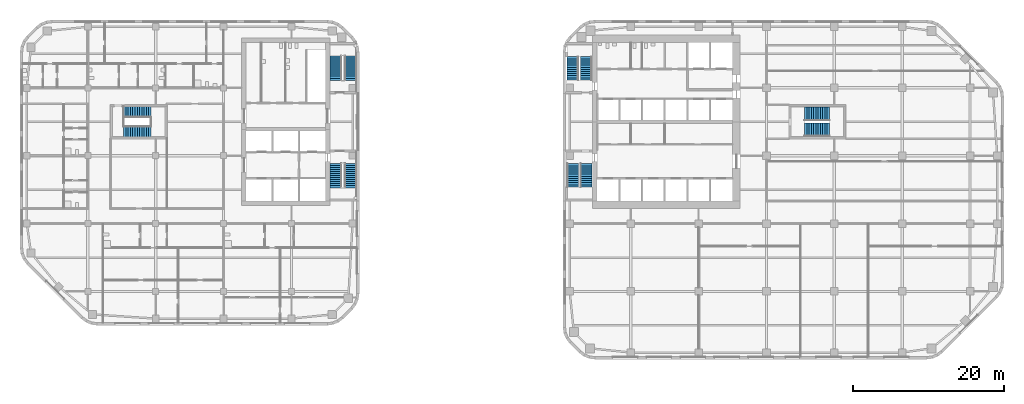
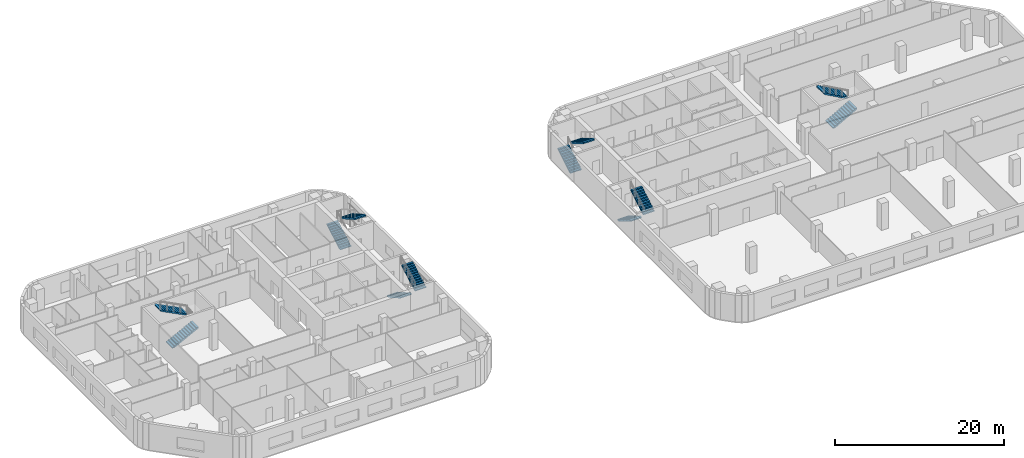
# One storey, part 13 of 16: 12 stair flights, 6 elements without a shape of their own.
"""IFC4 building model written with IfcOpenShell, lengths in metres."""

from ifc_helpers import new_model, si_unit, direction, frame, origin, place, context, subcontext, project, spatial, polyline, outline, extrude, material, type_object, element, aggregate, save


model = new_model("IFC4")

# Units and contexts
model_context = context("Model", 3, precision=1e-05, world=origin(), true_north=direction((0.0, 1.0)))
body_context = subcontext(model_context, "Body", "Model", "MODEL_VIEW")
ifc_project = project(units=[si_unit("LENGTHUNIT", "METRE"), si_unit("AREAUNIT", "SQUARE_METRE"), si_unit("VOLUMEUNIT", "CUBIC_METRE"), si_unit("PLANEANGLEUNIT", "RADIAN"), si_unit("MASSUNIT", "GRAM", prefix="KILO")], contexts=[model_context])

# Site, building, storey
site_placement = place(None, origin())
site = spatial("IfcSite", under=ifc_project, at=site_placement, CompositionType="ELEMENT")
building_placement = place(site_placement, origin())
building = spatial("IfcBuilding", under=site, at=building_placement, Name="Cinnabar Reach Civic Tower", CompositionType="ELEMENT")
storey_placement = place(building_placement, frame((0.0, 0.0, 38.0)))
storey = spatial("IfcBuildingStorey", under=building, at=storey_placement, Name="L08", CompositionType="ELEMENT", Elevation=38.0)

# Stair, stair flights
ifc_material_1 = material(Name="Concrete C40/50", Category="concrete")
stair_type_1 = type_object("IfcStairType", Name="T1 Exit stair, half-turn", PredefinedType="HALF_TURN_STAIR", material=ifc_material_1)
stair_1_placement = place(storey_placement, origin())
stair_1 = element("IfcStair", 1, at=stair_1_placement, inside=storey, type_object=stair_type_1, Name="Stair T1-S1", PredefinedType="HALF_TURN_STAIR")
stair_flight_type_1 = type_object("IfcStairFlightType", Name="T1 Stair flight, concrete", PredefinedType="STRAIGHT", material=ifc_material_1)
stair_flight_1_placement = place(storey_placement, frame((1.3125, 25.95, 0.0), z_axis=(0.0, 0.0, 1.0), x_axis=(0.0, -1.0, 0.0)))
stair_flight_1 = element("IfcStairFlight", 2, at=stair_flight_1_placement, type_object=stair_flight_type_1, Name="T1-S1 flight 1", NumberOfRisers=12, NumberOfTreads=11, PredefinedType="STRAIGHT", RiserHeight=0.166666667, TreadLength=0.28, context=body_context, shape_type="SweptSolid", body=[
    extrude(outline(polyline([(0.0, 0.0), (0.0, 0.1667), (0.28, 0.1667), (0.28, 0.3333), (0.56, 0.3333), (0.56, 0.5), (0.84, 0.5), (0.84, 0.6667), (1.12, 0.6667), (1.12, 0.8333), (1.4, 0.8333), (1.4, 1.0), (1.68, 1.0), (1.68, 1.1667), (1.96, 1.1667), (1.96, 1.3333), (2.24, 1.3333), (2.24, 1.5), (2.52, 1.5), (2.52, 1.6667), (2.8, 1.6667), (2.8, 1.8333), (3.08, 1.8333), (3.08, 2.0), (3.08, 1.6588), (0.2933, 0.0), (0.0, 0.0)])), frame((0.0, 0.7625, 0.0), z_axis=(0.0, -1.0, 0.0), x_axis=(1.0, 0.0, 0.0)), (0.0, 0.0, 1.0), 1.525),
])
stair_flight_2_placement = place(storey_placement, frame((3.0875, 22.87, 2.0), z_axis=(0.0, 0.0, 1.0), x_axis=(0.0, 1.0, 0.0)))
stair_flight_2 = element("IfcStairFlight", 3, at=stair_flight_2_placement, type_object=stair_flight_type_1, Name="T1-S1 flight 2", NumberOfRisers=12, NumberOfTreads=11, PredefinedType="STRAIGHT", RiserHeight=0.166666667, TreadLength=0.28, context=body_context, shape_type="SweptSolid", body=[
    extrude(outline(polyline([(0.0, 0.0), (0.0, 0.1667), (0.28, 0.1667), (0.28, 0.3333), (0.56, 0.3333), (0.56, 0.5), (0.84, 0.5), (0.84, 0.6667), (1.12, 0.6667), (1.12, 0.8333), (1.4, 0.8333), (1.4, 1.0), (1.68, 1.0), (1.68, 1.1667), (1.96, 1.1667), (1.96, 1.3333), (2.24, 1.3333), (2.24, 1.5), (2.52, 1.5), (2.52, 1.6667), (2.8, 1.6667), (2.8, 1.8333), (3.08, 1.8333), (3.08, 2.0), (3.08, 1.6588), (0.2933, 0.0), (0.0, 0.0)])), frame((0.0, 0.7625, 0.0), z_axis=(0.0, -1.0, 0.0), x_axis=(1.0, 0.0, 0.0)), (0.0, 0.0, 1.0), 1.525),
])
aggregate(stair_1, [stair_flight_1, stair_flight_2])

stair_2_placement = place(storey_placement, origin())
stair_2 = element("IfcStair", 4, at=stair_2_placement, inside=storey, type_object=stair_type_1, Name="Stair T1-S2", PredefinedType="HALF_TURN_STAIR")
stair_flight_3_placement = place(storey_placement, frame((1.3125, 37.05, 0.0), z_axis=(0.0, 0.0, 1.0), x_axis=(0.0, 1.0, 0.0)))
stair_flight_3 = element("IfcStairFlight", 5, at=stair_flight_3_placement, type_object=stair_flight_type_1, Name="T1-S2 flight 1", NumberOfRisers=12, NumberOfTreads=11, PredefinedType="STRAIGHT", RiserHeight=0.166666667, TreadLength=0.28, context=body_context, shape_type="SweptSolid", body=[
    extrude(outline(polyline([(0.0, 0.0), (0.0, 0.1667), (0.28, 0.1667), (0.28, 0.3333), (0.56, 0.3333), (0.56, 0.5), (0.84, 0.5), (0.84, 0.6667), (1.12, 0.6667), (1.12, 0.8333), (1.4, 0.8333), (1.4, 1.0), (1.68, 1.0), (1.68, 1.1667), (1.96, 1.1667), (1.96, 1.3333), (2.24, 1.3333), (2.24, 1.5), (2.52, 1.5), (2.52, 1.6667), (2.8, 1.6667), (2.8, 1.8333), (3.08, 1.8333), (3.08, 2.0), (3.08, 1.6588), (0.2933, 0.0), (0.0, 0.0)])), frame((0.0, 0.7625, 0.0), z_axis=(0.0, -1.0, 0.0), x_axis=(1.0, 0.0, 0.0)), (0.0, 0.0, 1.0), 1.525),
])
stair_flight_4_placement = place(storey_placement, frame((3.0875, 40.13, 2.0), z_axis=(0.0, 0.0, 1.0), x_axis=(0.0, -1.0, 0.0)))
stair_flight_4 = element("IfcStairFlight", 6, at=stair_flight_4_placement, type_object=stair_flight_type_1, Name="T1-S2 flight 2", NumberOfRisers=12, NumberOfTreads=11, PredefinedType="STRAIGHT", RiserHeight=0.166666667, TreadLength=0.28, context=body_context, shape_type="SweptSolid", body=[
    extrude(outline(polyline([(0.0, 0.0), (0.0, 0.1667), (0.28, 0.1667), (0.28, 0.3333), (0.56, 0.3333), (0.56, 0.5), (0.84, 0.5), (0.84, 0.6667), (1.12, 0.6667), (1.12, 0.8333), (1.4, 0.8333), (1.4, 1.0), (1.68, 1.0), (1.68, 1.1667), (1.96, 1.1667), (1.96, 1.3333), (2.24, 1.3333), (2.24, 1.5), (2.52, 1.5), (2.52, 1.6667), (2.8, 1.6667), (2.8, 1.8333), (3.08, 1.8333), (3.08, 2.0), (3.08, 1.6588), (0.2933, 0.0), (0.0, 0.0)])), frame((0.0, 0.7625, 0.0), z_axis=(0.0, -1.0, 0.0), x_axis=(1.0, 0.0, 0.0)), (0.0, 0.0, 1.0), 1.525),
])
aggregate(stair_2, [stair_flight_3, stair_flight_4])

stair_3_placement = place(storey_placement, origin())
stair_3 = element("IfcStair", 7, at=stair_3_placement, inside=storey, type_object=stair_type_1, Name="Stair T1-S3", PredefinedType="HALF_TURN_STAIR")
stair_flight_5_placement = place(storey_placement, frame((32.05, 30.45, 0.0), z_axis=(0.0, 0.0, 1.0), x_axis=(1.0, 0.0, 0.0)))
stair_flight_5 = element("IfcStairFlight", 8, at=stair_flight_5_placement, type_object=stair_flight_type_1, Name="T1-S3 flight 1", NumberOfRisers=12, NumberOfTreads=11, PredefinedType="STRAIGHT", RiserHeight=0.166666667, TreadLength=0.3, context=body_context, shape_type="SweptSolid", body=[
    extrude(outline(polyline([(0.0, 0.0), (0.0, 0.1667), (0.3, 0.1667), (0.3, 0.3333), (0.6, 0.3333), (0.6, 0.5), (0.9, 0.5), (0.9, 0.6667), (1.2, 0.6667), (1.2, 0.8333), (1.5, 0.8333), (1.5, 1.0), (1.8, 1.0), (1.8, 1.1667), (2.1, 1.1667), (2.1, 1.3333), (2.4, 1.3333), (2.4, 1.5), (2.7, 1.5), (2.7, 1.6667), (3.0, 1.6667), (3.0, 1.8333), (3.3, 1.8333), (3.3, 2.0), (3.3, 1.6617), (0.3089, 0.0), (0.0, 0.0)])), frame((0.0, 0.9, 0.0), z_axis=(0.0, -1.0, 0.0), x_axis=(1.0, 0.0, 0.0)), (0.0, 0.0, 1.0), 1.8),
])
stair_flight_6_placement = place(storey_placement, frame((35.35, 32.55, 2.0), z_axis=(0.0, 0.0, 1.0), x_axis=(-1.0, 0.0, 0.0)))
stair_flight_6 = element("IfcStairFlight", 9, at=stair_flight_6_placement, type_object=stair_flight_type_1, Name="T1-S3 flight 2", NumberOfRisers=12, NumberOfTreads=11, PredefinedType="STRAIGHT", RiserHeight=0.166666667, TreadLength=0.3, context=body_context, shape_type="SweptSolid", body=[
    extrude(outline(polyline([(0.0, 0.0), (0.0, 0.1667), (0.3, 0.1667), (0.3, 0.3333), (0.6, 0.3333), (0.6, 0.5), (0.9, 0.5), (0.9, 0.6667), (1.2, 0.6667), (1.2, 0.8333), (1.5, 0.8333), (1.5, 1.0), (1.8, 1.0), (1.8, 1.1667), (2.1, 1.1667), (2.1, 1.3333), (2.4, 1.3333), (2.4, 1.5), (2.7, 1.5), (2.7, 1.6667), (3.0, 1.6667), (3.0, 1.8333), (3.3, 1.8333), (3.3, 2.0), (3.3, 1.6617), (0.3089, 0.0), (0.0, 0.0)])), frame((0.0, 0.9, 0.0), z_axis=(0.0, -1.0, 0.0), x_axis=(1.0, 0.0, 0.0)), (0.0, 0.0, 1.0), 1.8),
])
aggregate(stair_3, [stair_flight_5, stair_flight_6])

ifc_material_2 = material(Name="Concrete C40", Category="concrete")
stair_type_2 = type_object("IfcStairType", Name="T2 Exit stair 1500", PredefinedType="HALF_TURN_STAIR", material=ifc_material_2)
stair_4_placement = place(storey_placement, origin())
stair_4 = element("IfcStair", 10, at=stair_4_placement, inside=storey, type_object=stair_type_2, Name="Exit stair 1", PredefinedType="HALF_TURN_STAIR")
stair_flight_type_2 = type_object("IfcStairFlightType", Name="T2 Stair flight 1500", PredefinedType="STRAIGHT", material=ifc_material_2)
stair_flight_7_placement = place(storey_placement, frame((-30.15, 26.0, 0.0), z_axis=(0.0, 0.0, 1.0), x_axis=(0.0, -1.0, 0.0)))
stair_flight_7 = element("IfcStairFlight", 11, at=stair_flight_7_placement, type_object=stair_flight_type_2, Name="ST1 flight 1", NumberOfRisers=13, NumberOfTreads=12, PredefinedType="STRAIGHT", RiserHeight=0.153846154, TreadLength=0.270833333, context=body_context, shape_type="SweptSolid", body=[
    extrude(outline(polyline([(0.0, 0.0), (0.0, 0.1538), (0.2708, 0.1538), (0.2708, 0.3077), (0.5417, 0.3077), (0.5417, 0.4615), (0.8125, 0.4615), (0.8125, 0.6154), (1.0833, 0.6154), (1.0833, 0.7692), (1.3542, 0.7692), (1.3542, 0.9231), (1.625, 0.9231), (1.625, 1.0769), (1.8958, 1.0769), (1.8958, 1.2308), (2.1667, 1.2308), (2.1667, 1.3846), (2.4375, 1.3846), (2.4375, 1.5385), (2.7083, 1.5385), (2.7083, 1.6923), (2.9792, 1.6923), (2.9792, 1.8462), (3.25, 1.8462), (3.25, 2.0), (3.25, 1.6736), (0.3037, 0.0), (0.0, 0.0)])), frame((0.0, 0.75, 0.0), z_axis=(0.0, -1.0, 0.0), x_axis=(1.0, 0.0, 0.0)), (0.0, 0.0, 1.0), 1.5),
])
stair_flight_8_placement = place(storey_placement, frame((-28.15, 22.75, 2.0), z_axis=(0.0, 0.0, 1.0), x_axis=(0.0, 1.0, 0.0)))
stair_flight_8 = element("IfcStairFlight", 12, at=stair_flight_8_placement, type_object=stair_flight_type_2, Name="ST1 flight 2", NumberOfRisers=13, NumberOfTreads=12, PredefinedType="STRAIGHT", RiserHeight=0.153846154, TreadLength=0.270833333, context=body_context, shape_type="SweptSolid", body=[
    extrude(outline(polyline([(0.0, 0.0), (0.0, 0.1538), (0.2708, 0.1538), (0.2708, 0.3077), (0.5417, 0.3077), (0.5417, 0.4615), (0.8125, 0.4615), (0.8125, 0.6154), (1.0833, 0.6154), (1.0833, 0.7692), (1.3542, 0.7692), (1.3542, 0.9231), (1.625, 0.9231), (1.625, 1.0769), (1.8958, 1.0769), (1.8958, 1.2308), (2.1667, 1.2308), (2.1667, 1.3846), (2.4375, 1.3846), (2.4375, 1.5385), (2.7083, 1.5385), (2.7083, 1.6923), (2.9792, 1.6923), (2.9792, 1.8462), (3.25, 1.8462), (3.25, 2.0), (3.25, 1.6736), (0.3037, 0.0), (0.0, 0.0)])), frame((0.0, 0.75, 0.0), z_axis=(0.0, -1.0, 0.0), x_axis=(1.0, 0.0, 0.0)), (0.0, 0.0, 1.0), 1.5),
])
aggregate(stair_4, [stair_flight_7, stair_flight_8])

stair_5_placement = place(storey_placement, origin())
stair_5 = element("IfcStair", 13, at=stair_5_placement, inside=storey, type_object=stair_type_2, Name="Exit stair 2", PredefinedType="HALF_TURN_STAIR")
stair_flight_9_placement = place(storey_placement, frame((-30.15, 37.0, 0.0), z_axis=(0.0, 0.0, 1.0), x_axis=(0.0, 1.0, 0.0)))
stair_flight_9 = element("IfcStairFlight", 14, at=stair_flight_9_placement, type_object=stair_flight_type_2, Name="ST2 flight 1", NumberOfRisers=13, NumberOfTreads=12, PredefinedType="STRAIGHT", RiserHeight=0.153846154, TreadLength=0.270833333, context=body_context, shape_type="SweptSolid", body=[
    extrude(outline(polyline([(0.0, 0.0), (0.0, 0.1538), (0.2708, 0.1538), (0.2708, 0.3077), (0.5417, 0.3077), (0.5417, 0.4615), (0.8125, 0.4615), (0.8125, 0.6154), (1.0833, 0.6154), (1.0833, 0.7692), (1.3542, 0.7692), (1.3542, 0.9231), (1.625, 0.9231), (1.625, 1.0769), (1.8958, 1.0769), (1.8958, 1.2308), (2.1667, 1.2308), (2.1667, 1.3846), (2.4375, 1.3846), (2.4375, 1.5385), (2.7083, 1.5385), (2.7083, 1.6923), (2.9792, 1.6923), (2.9792, 1.8462), (3.25, 1.8462), (3.25, 2.0), (3.25, 1.6736), (0.3037, 0.0), (0.0, 0.0)])), frame((0.0, 0.75, 0.0), z_axis=(0.0, -1.0, 0.0), x_axis=(1.0, 0.0, 0.0)), (0.0, 0.0, 1.0), 1.5),
])
stair_flight_10_placement = place(storey_placement, frame((-28.15, 40.25, 2.0), z_axis=(0.0, 0.0, 1.0), x_axis=(0.0, -1.0, 0.0)))
stair_flight_10 = element("IfcStairFlight", 15, at=stair_flight_10_placement, type_object=stair_flight_type_2, Name="ST2 flight 2", NumberOfRisers=13, NumberOfTreads=12, PredefinedType="STRAIGHT", RiserHeight=0.153846154, TreadLength=0.270833333, context=body_context, shape_type="SweptSolid", body=[
    extrude(outline(polyline([(0.0, 0.0), (0.0, 0.1538), (0.2708, 0.1538), (0.2708, 0.3077), (0.5417, 0.3077), (0.5417, 0.4615), (0.8125, 0.4615), (0.8125, 0.6154), (1.0833, 0.6154), (1.0833, 0.7692), (1.3542, 0.7692), (1.3542, 0.9231), (1.625, 0.9231), (1.625, 1.0769), (1.8958, 1.0769), (1.8958, 1.2308), (2.1667, 1.2308), (2.1667, 1.3846), (2.4375, 1.3846), (2.4375, 1.5385), (2.7083, 1.5385), (2.7083, 1.6923), (2.9792, 1.6923), (2.9792, 1.8462), (3.25, 1.8462), (3.25, 2.0), (3.25, 1.6736), (0.3037, 0.0), (0.0, 0.0)])), frame((0.0, 0.75, 0.0), z_axis=(0.0, -1.0, 0.0), x_axis=(1.0, 0.0, 0.0)), (0.0, 0.0, 1.0), 1.5),
])
aggregate(stair_5, [stair_flight_9, stair_flight_10])

stair_6_placement = place(storey_placement, origin())
stair_6 = element("IfcStair", 16, at=stair_6_placement, inside=storey, type_object=stair_type_2, Name="Exit stair 3", PredefinedType="HALF_TURN_STAIR")
stair_flight_11_placement = place(storey_placement, frame((-58.25, 30.125, 0.0), z_axis=(0.0, 0.0, 1.0), x_axis=(1.0, 0.0, 0.0)))
stair_flight_11 = element("IfcStairFlight", 17, at=stair_flight_11_placement, type_object=stair_flight_type_2, Name="ST3 flight 1", NumberOfRisers=13, NumberOfTreads=12, PredefinedType="STRAIGHT", RiserHeight=0.153846154, TreadLength=0.3, context=body_context, shape_type="SweptSolid", body=[
    extrude(outline(polyline([(0.0, 0.0), (0.0, 0.1538), (0.3, 0.1538), (0.3, 0.3077), (0.6, 0.3077), (0.6, 0.4615), (0.9, 0.4615), (0.9, 0.6154), (1.2, 0.6154), (1.2, 0.7692), (1.5, 0.7692), (1.5, 0.9231), (1.8, 0.9231), (1.8, 1.0769), (2.1, 1.0769), (2.1, 1.2308), (2.4, 1.2308), (2.4, 1.3846), (2.7, 1.3846), (2.7, 1.5385), (3.0, 1.5385), (3.0, 1.6923), (3.3, 1.6923), (3.3, 1.8462), (3.6, 1.8462), (3.6, 2.0), (3.6, 1.6776), (0.3287, 0.0), (0.0, 0.0)])), frame((0.0, 0.75, 0.0), z_axis=(0.0, -1.0, 0.0), x_axis=(1.0, 0.0, 0.0)), (0.0, 0.0, 1.0), 1.5),
])
stair_flight_12_placement = place(storey_placement, frame((-54.65, 32.875, 2.0), z_axis=(0.0, 0.0, 1.0), x_axis=(-1.0, 0.0, 0.0)))
stair_flight_12 = element("IfcStairFlight", 18, at=stair_flight_12_placement, type_object=stair_flight_type_2, Name="ST3 flight 2", NumberOfRisers=13, NumberOfTreads=12, PredefinedType="STRAIGHT", RiserHeight=0.153846154, TreadLength=0.3, context=body_context, shape_type="SweptSolid", body=[
    extrude(outline(polyline([(0.0, 0.0), (0.0, 0.1538), (0.3, 0.1538), (0.3, 0.3077), (0.6, 0.3077), (0.6, 0.4615), (0.9, 0.4615), (0.9, 0.6154), (1.2, 0.6154), (1.2, 0.7692), (1.5, 0.7692), (1.5, 0.9231), (1.8, 0.9231), (1.8, 1.0769), (2.1, 1.0769), (2.1, 1.2308), (2.4, 1.2308), (2.4, 1.3846), (2.7, 1.3846), (2.7, 1.5385), (3.0, 1.5385), (3.0, 1.6923), (3.3, 1.6923), (3.3, 1.8462), (3.6, 1.8462), (3.6, 2.0), (3.6, 1.6776), (0.3287, 0.0), (0.0, 0.0)])), frame((0.0, 0.75, 0.0), z_axis=(0.0, -1.0, 0.0), x_axis=(1.0, 0.0, 0.0)), (0.0, 0.0, 1.0), 1.5),
])
aggregate(stair_6, [stair_flight_11, stair_flight_12])

save(model, "model.ifc")
